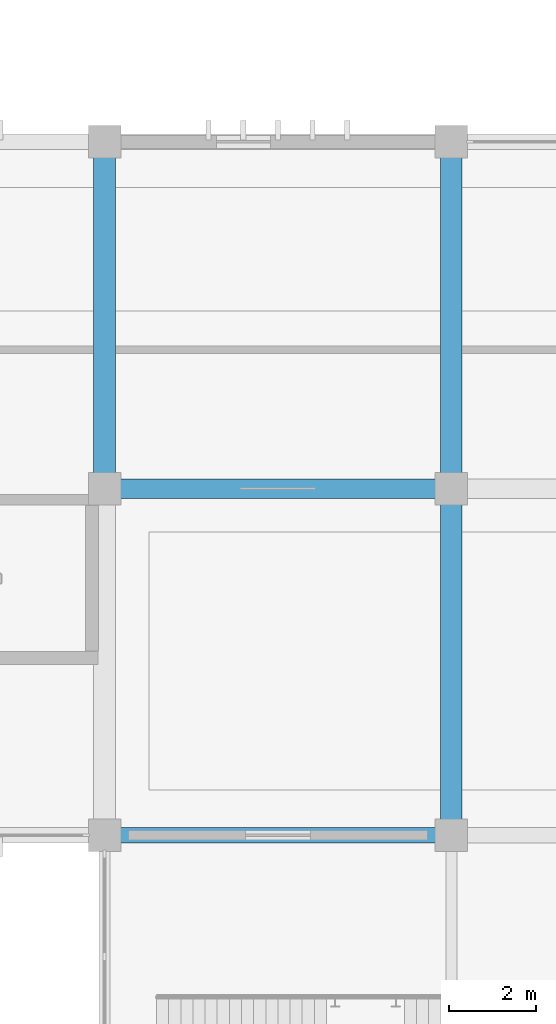
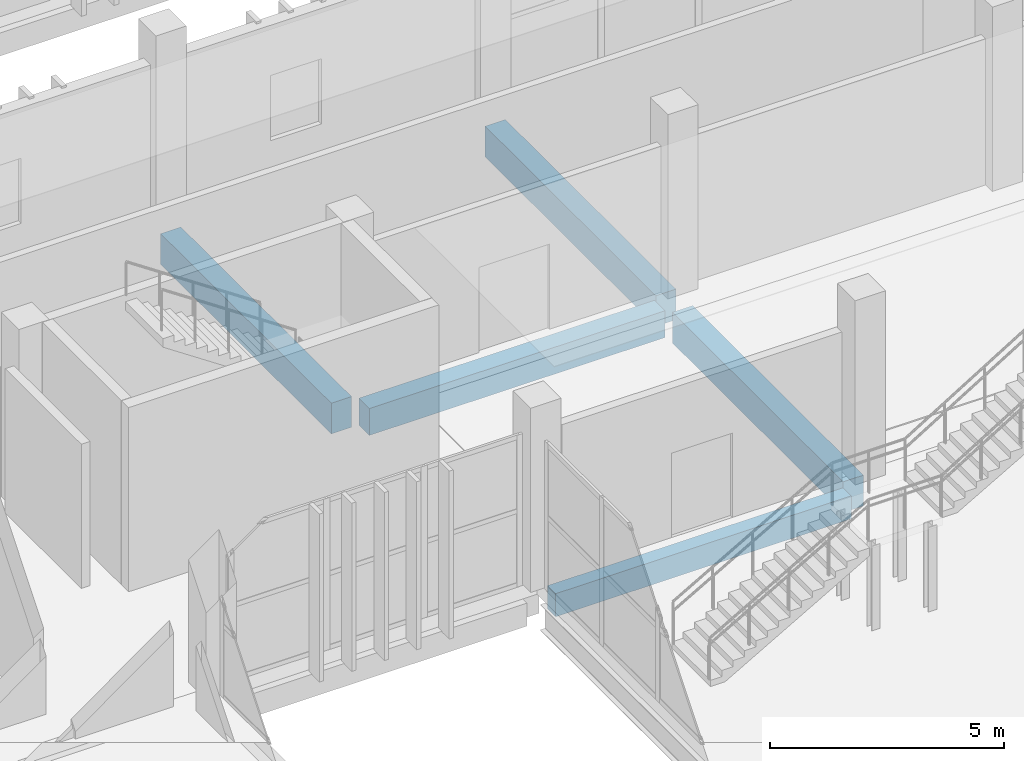
# One storey, part 63 of 117: 5 beams.
"""IFC4 building model written with IfcOpenShell, lengths in metres."""

from ifc_helpers import new_model, si_unit, direction, frame, origin, origin_2d, place, context, subcontext, project, spatial, rectangle, extrude, material, material_profile, profile_set, type_object, element, save


model = new_model("IFC4")

# Units and contexts
model_context = context("Model", 3, precision=1e-05, world=origin(), true_north=direction((0.0, 1.0)))
body_context = subcontext(model_context, "Body", "Model", "MODEL_VIEW")
ifc_project = project(units=[si_unit("LENGTHUNIT", "METRE"), si_unit("AREAUNIT", "SQUARE_METRE"), si_unit("VOLUMEUNIT", "CUBIC_METRE"), si_unit("PLANEANGLEUNIT", "RADIAN"), si_unit("MASSUNIT", "GRAM", prefix="KILO")], contexts=[model_context])

# Site, building, storey
site_placement = place(None, origin())
site = spatial("IfcSite", under=ifc_project, at=site_placement, CompositionType="ELEMENT")
building_placement = place(site_placement, origin())
building = spatial("IfcBuilding", under=site, at=building_placement, Name="Jelvoka-Kovrelna Polytechnic", CompositionType="ELEMENT")
storey_placement = place(building_placement, origin())
storey = spatial("IfcBuildingStorey", under=building, at=storey_placement, Name="L01", CompositionType="ELEMENT", Elevation=0.0)

# Beams
ifc_material_1 = material(Name="Concrete C40/50", Category="concrete")
ifc_material_profile_1 = material_profile(ifc_material_1, rectangle(XDim=0.449951171875, YDim=0.699951171875, at=origin_2d()), Name="RC 450x700")
ifc_profile_set_1 = profile_set([ifc_material_profile_1], Name="Concrete C40/50")
beam_type_1 = type_object("IfcBeamType", Name="Beam_RC_450x700", PredefinedType="BEAM", material=ifc_profile_set_1)
beam_1_placement = place(storey_placement, frame((160.35498046875, 40.0, -0.7548828125), z_axis=(1.0, 0.0, 0.0), x_axis=(0.0, 1.0, 0.0)))
element("IfcBeam", 1, at=beam_1_placement, inside=storey, type_object=beam_type_1, Name="L01 beam 0409", PredefinedType="BEAM", context=body_context, shape_type="SweptSolid", body=[
    extrude(rectangle(XDim=0.449951171875, YDim=0.699951171875, at=origin_2d()), origin(), (0.0, 0.0, 1.0), 7.2900390625),
])
ifc_material_2 = material(Name="Concrete C40/50", Category="concrete")
ifc_material_profile_2 = material_profile(ifc_material_2, rectangle(XDim=0.5, YDim=0.800048828125, at=origin_2d()), Name="RC 500x800")
ifc_profile_set_2 = profile_set([ifc_material_profile_2], Name="Concrete C40/50")
beam_type_2 = type_object("IfcBeamType", Name="Beam_RC_500x800", PredefinedType="BEAM", material=ifc_profile_set_2)
for number, where, z_axis, x_axis, name in (
    (2, (160.0, 40.35498046875, -0.804931640625), (0.0, 1.0, 0.0), (-1.0, 0.0, 0.0), "L01 beam 0432"),
    (3, (168.0, 32.35498046875, -0.804931640625), (0.0, 1.0, 0.0), (-1.0, 0.0, 0.0), "L01 beam 0433"),
    (4, (168.0, 40.35498046875, -0.804931640625), (0.0, 1.0, 0.0), (-1.0, 0.0, 0.0), "L01 beam 0434"),
):
    element("IfcBeam", number, at=place(storey_placement, frame(where, z_axis=z_axis, x_axis=x_axis)), inside=storey, type_object=beam_type_2, Name=name, PredefinedType="BEAM", context=body_context, shape_type="SweptSolid", body=[
        extrude(rectangle(XDim=0.5, YDim=0.800048828125, at=origin_2d()), origin(), (0.0, 0.0, 1.0), 7.2900390625),
    ])
ifc_material_3 = material(Name="Concrete C40/50", Category="concrete")
ifc_material_profile_3 = material_profile(ifc_material_3, rectangle(XDim=0.35009765625, YDim=0.60009765625, at=origin_2d()), Name="RC 350x600")
ifc_profile_set_3 = profile_set([ifc_material_profile_3], Name="Concrete C40/50")
beam_type_3 = type_object("IfcBeamType", Name="Spandrel_RC_350x600", PredefinedType="SPANDREL", material=ifc_profile_set_3)
beam_2_placement = place(storey_placement, frame((160.35498046875, 32.0, -0.7099609375), z_axis=(1.0, 0.0, 0.0), x_axis=(0.0, 1.0, 0.0)))
element("IfcBeam", 5, at=beam_2_placement, inside=storey, type_object=beam_type_3, Name="L01 beam 0144", PredefinedType="SPANDREL", context=body_context, shape_type="SweptSolid", body=[
    extrude(rectangle(XDim=0.35009765625, YDim=0.60009765625, at=origin_2d()), origin(), (0.0, 0.0, 1.0), 7.2900390625),
])

save(model, "model.ifc")
